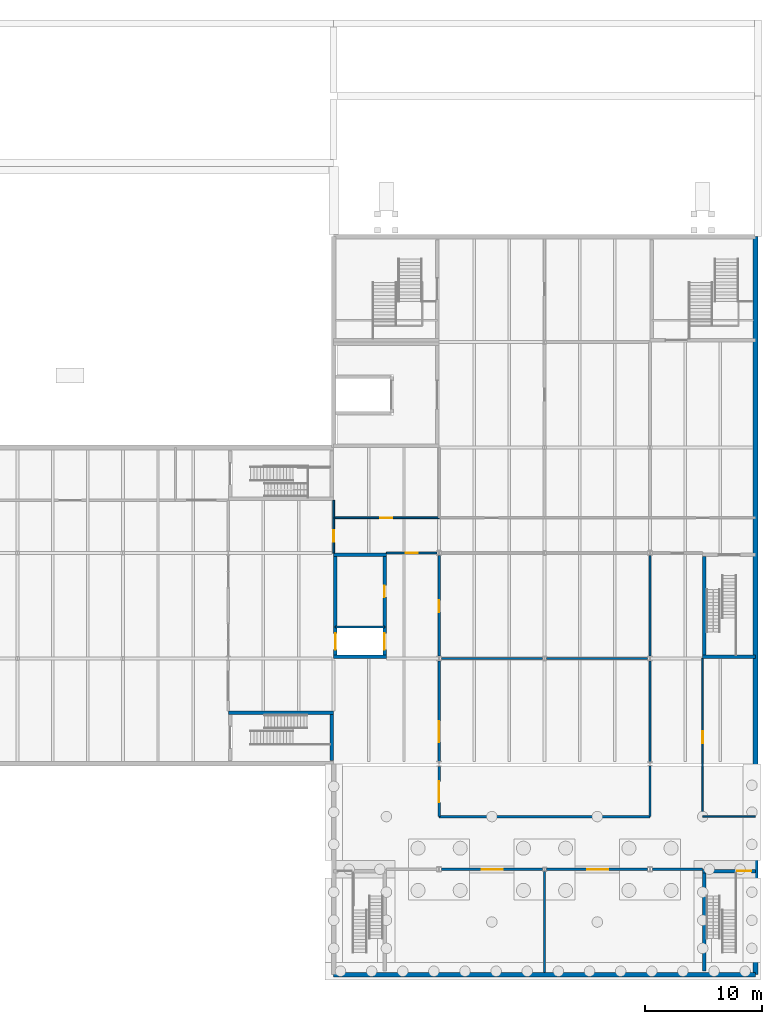
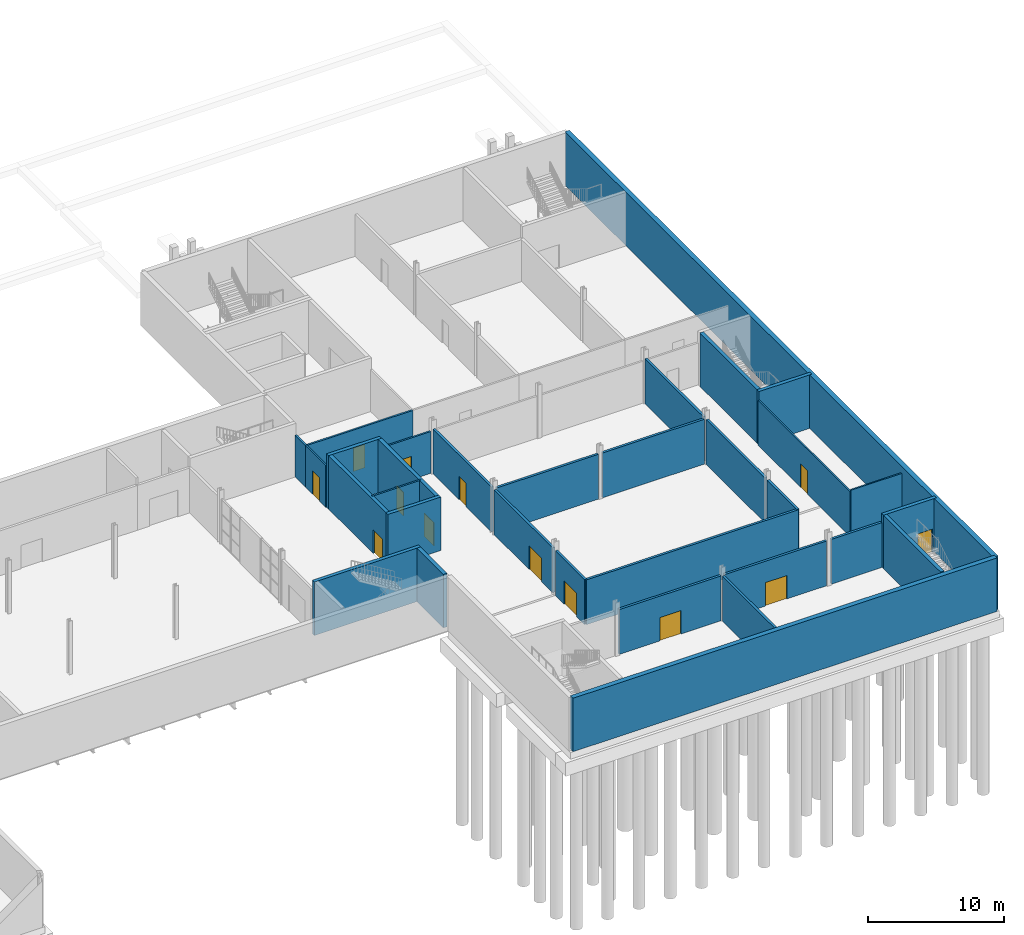
# One storey, part 18 of 31: 32 walls, 13 doors, 13 openings.
"""IFC4 building model written with IfcOpenShell, lengths in metres."""

from ifc_helpers import new_model, si_unit, direction, frame, frame_2d, origin, place, context, subcontext, project, spatial, rectangle, extrude, material, layer, layer_set, type_object, element, fill, save


model = new_model("IFC4")

# Units and contexts
model_context = context("Model", 3, precision=1e-05, world=origin(), true_north=direction((0.0, 1.0)))
body_context = subcontext(model_context, "Body", "Model", "MODEL_VIEW")
ifc_project = project(units=[si_unit("LENGTHUNIT", "METRE"), si_unit("AREAUNIT", "SQUARE_METRE"), si_unit("VOLUMEUNIT", "CUBIC_METRE"), si_unit("PLANEANGLEUNIT", "RADIAN"), si_unit("MASSUNIT", "GRAM", prefix="KILO")], contexts=[model_context])

# Site, building, storey
site_placement = place(None, origin())
site = spatial("IfcSite", under=ifc_project, at=site_placement, CompositionType="ELEMENT")
building_placement = place(site_placement, origin())
building = spatial("IfcBuilding", under=site, at=building_placement, Name="Halyard Row Museum", CompositionType="ELEMENT")
storey_placement = place(building_placement, frame((0.0, 0.0, -4.800048828125)))
storey = spatial("IfcBuildingStorey", under=building, at=storey_placement, Name="B1", CompositionType="ELEMENT", Elevation=-4.800048828125)

# Walls
ifc_material_1 = material(Name="Concrete 40 MPa", Category="concrete")
ifc_layer_1 = layer(ifc_material_1, 0.39990234375)
ifc_layer_set_1 = layer_set([ifc_layer_1], Name="Concrete 40 MPa")
wall_type_1 = type_object("IfcWallType", Name="Basement retaining wall", PredefinedType="SOLIDWALL", material=ifc_layer_set_1)
wall_1_placement = place(storey_placement, frame((108.0, 0.0, 0.0), z_axis=(0.0, 0.0, 1.0), x_axis=(0.0, 1.0, 0.0)))
element("IfcWall", 1, at=wall_1_placement, inside=storey, type_object=wall_type_1, Name="Retaining wall B1 E2", PredefinedType="SOLIDWALL", context=body_context, shape_type="SweptSolid", body=[
    extrude(rectangle(XDim=63.0, YDim=0.39990234375, at=frame_2d((31.5, 0.0))), origin(), (0.0, 0.0, 1.0), 4.800048828125),
])
wall_2_placement = place(storey_placement, frame((72.0, 0.0, 0.0), z_axis=(0.0, 0.0, 1.0), x_axis=(1.0, 0.0, 0.0)))
element("IfcWall", 2, at=wall_2_placement, inside=storey, type_object=wall_type_1, Name="Retaining wall B1 N2", PredefinedType="SOLIDWALL", context=body_context, shape_type="SweptSolid", body=[
    extrude(rectangle(XDim=36.0, YDim=0.39990234375, at=frame_2d((18.0, 0.0))), origin(), (0.0, 0.0, 1.0), 4.800048828125),
])
ifc_material_2 = material(Name="Concrete masonry 15 MPa", Category="masonry")
ifc_layer_2 = layer(ifc_material_2, 0.199951171875)
ifc_layer_set_2 = layer_set([ifc_layer_2], Name="Concrete masonry 15 MPa")
wall_type_2 = type_object("IfcWallType", Name="Blockwork wall 200 fire rated", PredefinedType="PARTITIONING", material=ifc_layer_set_2)
wall_3_placement = place(storey_placement, frame((81.0, 13.5, 0.0), z_axis=(0.0, 0.0, 1.0), x_axis=(1.0, 0.0, 0.0)))
element("IfcWall", 3, at=wall_3_placement, inside=storey, type_object=wall_type_2, Name="Partition Basement Corridor / Large Object Store", PredefinedType="PARTITIONING", context=body_context, shape_type="SweptSolid", body=[
    extrude(rectangle(XDim=18.0, YDim=0.199951171875, at=frame_2d((9.0, 0.0))), origin(), (0.0, 0.0, 1.0), 4.0234375),
])

# Wall, opening, door
wall_4_placement = place(storey_placement, frame((81.0, 13.5, 0.0), z_axis=(0.0, 0.0, 1.0), x_axis=(0.0, 1.0, 0.0)))
wall_4 = element("IfcWall", 4, at=wall_4_placement, inside=storey, type_object=wall_type_2, Name="Partition Lift Lobby B1 East / Large Object Store", PredefinedType="PARTITIONING", context=body_context, shape_type="SweptSolid", body=[
    extrude(rectangle(XDim=4.29296875, YDim=0.199951171875, at=frame_2d((2.146484375, 0.0))), origin(), (0.0, 0.0, 1.0), 4.0234375),
])
opening_1_placement = place(wall_4_placement, frame((1.2099609375, 0.0, 0.0)))
opening_1 = element("IfcOpeningElement", 5, at=opening_1_placement, cuts=wall_4, Name="Opening DB1-036", PredefinedType="OPENING", context=body_context, shape_type="SweptSolid", body=[
    extrude(rectangle(XDim=1.800048828125, YDim=2.10009765625, at=frame_2d((0.89990234375, 1.050048828125))), frame((0.0, 0.10986328125, 0.0), z_axis=(0.0, -1.0, 0.0), x_axis=(1.0, 0.0, 0.0)), (0.0, 0.0, 1.0), 0.219970703125),
])
ifc_material_3 = material(Name="Timber veneered door leaf and softwood frame", Category="wood")
door_type_1 = type_object("IfcDoorType", Name="Double door 1800 x 2100 fire rated", OperationType="NOTDEFINED", PredefinedType="DOOR", material=ifc_material_3)
door_1_placement = place(opening_1_placement, frame((1.800048828125, 0.0, 0.0), z_axis=(0.0, 0.0, 1.0), x_axis=(-1.0, 0.0, 0.0)))
door_1 = element("IfcDoor", 6, at=door_1_placement, inside=storey, type_object=door_type_1, Name="Door Large Object Store to Lift Lobby B1 East", OperationType="DOUBLE_DOOR_SINGLE_SWING", OverallHeight=2.10009765625, OverallWidth=1.800048828125, PredefinedType="DOOR", context=body_context, shape_type="SweptSolid", body=[
    extrude(rectangle(XDim=1.800048828125, YDim=2.10009765625, at=frame_2d((0.89990234375, 1.050048828125))), frame((0.0, 0.02490234375, 0.0), z_axis=(0.0, -1.0, 0.0), x_axis=(1.0, 0.0, 0.0)), (0.0, 0.0, 1.0), 0.050048828125),
])
fill(opening_1, door_1)

wall_5_placement = place(storey_placement, frame((81.0, 18.20703125, 0.0), z_axis=(0.0, 0.0, 1.0), x_axis=(0.0, 1.0, 0.0)))
wall_5 = element("IfcWall", 7, at=wall_5_placement, inside=storey, type_object=wall_type_2, Name="Partition Lift Lobby B1 East / Large Object Store", PredefinedType="PARTITIONING", context=body_context, shape_type="SweptSolid", body=[
    extrude(rectangle(XDim=8.5859375, YDim=0.199951171875, at=frame_2d((4.29296875, 0.0))), origin(), (0.0, 0.0, 1.0), 4.0234375),
])
opening_2_placement = place(wall_5_placement, frame((1.64990234375, 0.0, 0.0)))
opening_2 = element("IfcOpeningElement", 8, at=opening_2_placement, cuts=wall_5, Name="Opening DB1-035", PredefinedType="OPENING", context=body_context, shape_type="SweptSolid", body=[
    extrude(rectangle(XDim=1.800048828125, YDim=2.10009765625, at=frame_2d((0.89990234375, 1.050048828125))), frame((0.0, 0.10986328125, 0.0), z_axis=(0.0, -1.0, 0.0), x_axis=(1.0, 0.0, 0.0)), (0.0, 0.0, 1.0), 0.219970703125),
])
door_2_placement = place(opening_2_placement, frame((1.800048828125, 0.0, 0.0), z_axis=(0.0, 0.0, 1.0), x_axis=(-1.0, 0.0, 0.0)))
door_2 = element("IfcDoor", 9, at=door_2_placement, inside=storey, type_object=door_type_1, Name="Door Large Object Store to Lift Lobby B1 East", OperationType="DOUBLE_DOOR_SINGLE_SWING", OverallHeight=2.10009765625, OverallWidth=1.800048828125, PredefinedType="DOOR", context=body_context, shape_type="SweptSolid", body=[
    extrude(rectangle(XDim=1.800048828125, YDim=2.10009765625, at=frame_2d((0.89990234375, 1.050048828125))), frame((0.0, 0.02490234375, 0.0), z_axis=(0.0, -1.0, 0.0), x_axis=(1.0, 0.0, 0.0)), (0.0, 0.0, 1.0), 0.050048828125),
])
fill(opening_2, door_2)

# Walls
wall_6_placement = place(storey_placement, frame((99.0, 13.5, 0.0), z_axis=(0.0, 0.0, 1.0), x_axis=(0.0, 1.0, 0.0)))
element("IfcWall", 10, at=wall_6_placement, inside=storey, type_object=wall_type_2, Name="Partition Large Object Store / Basement Stair Link", PredefinedType="PARTITIONING", context=body_context, shape_type="SweptSolid", body=[
    extrude(rectangle(XDim=4.33056640625, YDim=0.199951171875, at=frame_2d((2.165283203125, 0.0))), origin(), (0.0, 0.0, 1.0), 4.0234375),
])
wall_7_placement = place(storey_placement, frame((99.0, 18.16943359375, 0.0), z_axis=(0.0, 0.0, 1.0), x_axis=(0.0, 1.0, 0.0)))
element("IfcWall", 11, at=wall_7_placement, inside=storey, type_object=wall_type_2, Name="Partition Large Object Store / Basement Stair Link", PredefinedType="PARTITIONING", context=body_context, shape_type="SweptSolid", body=[
    extrude(rectangle(XDim=8.62353515625, YDim=0.199951171875, at=frame_2d((4.311767578125, 0.0))), origin(), (0.0, 0.0, 1.0), 4.0234375),
])

# Wall, opening, door
ifc_material_4 = material(Name="Fire-resisting plasterboard on steel studs", Category="steel")
ifc_layer_3 = layer(ifc_material_4, 0.14990234375)
ifc_layer_set_3 = layer_set([ifc_layer_3], Name="Fire-resisting plasterboard on steel studs")
wall_type_3 = type_object("IfcWallType", Name="Compartment wall 150 fire rated", PredefinedType="PARTITIONING", material=ifc_layer_set_3)
wall_8_placement = place(storey_placement, frame((72.0, 36.0, 0.0), z_axis=(0.0, 0.0, 1.0), x_axis=(0.0, 1.0, 0.0)))
wall_8 = element("IfcWall", 12, at=wall_8_placement, inside=storey, type_object=wall_type_3, Name="Partition Lift Lobby B1 West / Collections Corridor", PredefinedType="PARTITIONING", context=body_context, shape_type="SweptSolid", body=[
    extrude(rectangle(XDim=3.0, YDim=0.14990234375, at=frame_2d((1.5, 0.0))), origin(), (0.0, 0.0, 1.0), 3.758056640625),
])
opening_3_placement = place(wall_8_placement, frame((0.949951171875, 0.0, 0.0)))
opening_3 = element("IfcOpeningElement", 13, at=opening_3_placement, cuts=wall_8, Name="Opening DB1-020", PredefinedType="OPENING", context=body_context, shape_type="SweptSolid", body=[
    extrude(rectangle(XDim=1.0, YDim=2.10009765625, at=frame_2d((0.5, 1.050048828125))), frame((0.0, 0.0849609375, 0.0), z_axis=(0.0, -1.0, 0.0), x_axis=(1.0, 0.0, 0.0)), (0.0, 0.0, 1.0), 0.169921875),
])
ifc_material_5 = material(Name="Fire-resisting timber door leaf and steel frame", Category="steel")
door_type_2 = type_object("IfcDoorType", Name="Compartment door 1000 x 2100 fire rated", OperationType="NOTDEFINED", PredefinedType="DOOR", material=ifc_material_5)
door_3_placement = place(opening_3_placement, origin())
door_3 = element("IfcDoor", 14, at=door_3_placement, inside=storey, type_object=door_type_2, Name="Door Lift Lobby B1 West to Collections Corridor", OperationType="SINGLE_SWING_LEFT", OverallHeight=2.10009765625, OverallWidth=1.0, PredefinedType="DOOR", context=body_context, shape_type="SweptSolid", body=[
    extrude(rectangle(XDim=1.0, YDim=2.10009765625, at=frame_2d((0.5, 1.050048828125))), frame((0.0, 0.02490234375, 0.0), z_axis=(0.0, -1.0, 0.0), x_axis=(1.0, 0.0, 0.0)), (0.0, 0.0, 1.0), 0.050048828125),
])
fill(opening_3, door_3)

# Wall
wall_9_placement = place(storey_placement, frame((72.0, 39.0, 0.0), z_axis=(0.0, 0.0, 1.0), x_axis=(0.0, 1.0, 0.0)))
element("IfcWall", 15, at=wall_9_placement, inside=storey, type_object=wall_type_3, Name="Partition Lift Lobby B1 West / Quarantine Store", PredefinedType="PARTITIONING", context=body_context, shape_type="SweptSolid", body=[
    extrude(rectangle(XDim=1.5, YDim=0.14990234375, at=frame_2d((0.75, 0.0))), origin(), (0.0, 0.0, 1.0), 3.758056640625),
])

# Wall, opening, door
wall_10_placement = place(storey_placement, frame((76.5, 36.0, 0.0), z_axis=(0.0, 0.0, 1.0), x_axis=(1.0, 0.0, 0.0)))
wall_10 = element("IfcWall", 16, at=wall_10_placement, inside=storey, type_object=wall_type_3, Name="Partition Lift Lobby B1 East / Collections Corridor", PredefinedType="PARTITIONING", context=body_context, shape_type="SweptSolid", body=[
    extrude(rectangle(XDim=4.300048828125, YDim=0.14990234375, at=frame_2d((2.14990234375, 0.0))), origin(), (0.0, 0.0, 1.0), 3.758056640625),
])
opening_4_placement = place(wall_10_placement, frame((1.655029296875, 0.0, 0.0)))
opening_4 = element("IfcOpeningElement", 17, at=opening_4_placement, cuts=wall_10, Name="Opening DB1-021", PredefinedType="OPENING", context=body_context, shape_type="SweptSolid", body=[
    extrude(rectangle(XDim=1.0, YDim=2.10009765625, at=frame_2d((0.5, 1.050048828125))), frame((0.0, 0.0849609375, 0.0), z_axis=(0.0, -1.0, 0.0), x_axis=(1.0, 0.0, 0.0)), (0.0, 0.0, 1.0), 0.169921875),
])
door_4_placement = place(opening_4_placement, frame((1.0, 0.0, 0.0), z_axis=(0.0, 0.0, 1.0), x_axis=(-1.0, 0.0, 0.0)))
door_4 = element("IfcDoor", 18, at=door_4_placement, inside=storey, type_object=door_type_2, Name="Door Lift Lobby B1 East to Collections Corridor", OperationType="SINGLE_SWING_LEFT", OverallHeight=2.10009765625, OverallWidth=1.0, PredefinedType="DOOR", context=body_context, shape_type="SweptSolid", body=[
    extrude(rectangle(XDim=1.0, YDim=2.10009765625, at=frame_2d((0.5, 1.050048828125))), frame((0.0, 0.02490234375, 0.0), z_axis=(0.0, -1.0, 0.0), x_axis=(1.0, 0.0, 0.0)), (0.0, 0.0, 1.0), 0.050048828125),
])
fill(opening_4, door_4)

wall_11_placement = place(storey_placement, frame((72.0, 39.0, 0.0), z_axis=(0.0, 0.0, 1.0), x_axis=(1.0, 0.0, 0.0)))
wall_11 = element("IfcWall", 19, at=wall_11_placement, inside=storey, type_object=wall_type_3, Name="Partition Collections Corridor / Quarantine Store", PredefinedType="PARTITIONING", context=body_context, shape_type="SweptSolid", body=[
    extrude(rectangle(XDim=9.0, YDim=0.14990234375, at=frame_2d((4.5, 0.0))), origin(), (0.0, 0.0, 1.0), 3.758056640625),
])
opening_5_placement = place(wall_11_placement, frame((3.985107421875, 0.0, 0.0)))
opening_5 = element("IfcOpeningElement", 20, at=opening_5_placement, cuts=wall_11, Name="Opening DB1-039", PredefinedType="OPENING", context=body_context, shape_type="SweptSolid", body=[
    extrude(rectangle(XDim=1.0, YDim=2.10009765625, at=frame_2d((0.5, 1.050048828125))), frame((0.0, 0.0849609375, 0.0), z_axis=(0.0, -1.0, 0.0), x_axis=(1.0, 0.0, 0.0)), (0.0, 0.0, 1.0), 0.169921875),
])
door_5_placement = place(opening_5_placement, origin())
door_5 = element("IfcDoor", 21, at=door_5_placement, inside=storey, type_object=door_type_2, Name="Door Quarantine Store to Collections Corridor", OperationType="SINGLE_SWING_LEFT", OverallHeight=2.10009765625, OverallWidth=1.0, PredefinedType="DOOR", context=body_context, shape_type="SweptSolid", body=[
    extrude(rectangle(XDim=1.0, YDim=2.10009765625, at=frame_2d((0.5, 1.050048828125))), frame((0.0, 0.02490234375, 0.0), z_axis=(0.0, -1.0, 0.0), x_axis=(1.0, 0.0, 0.0)), (0.0, 0.0, 1.0), 0.050048828125),
])
fill(opening_5, door_5)

# Wall
ifc_material_6 = material(Name="Concrete 40 MPa", Category="concrete")
ifc_layer_4 = layer(ifc_material_6, 0.300048828125)
ifc_layer_set_4 = layer_set([ifc_layer_4], Name="Concrete 40 MPa")
wall_type_4 = type_object("IfcWallType", Name="Core wall 300 lift shaft", PredefinedType="SOLIDWALL", material=ifc_layer_set_4)
wall_12_placement = place(storey_placement, frame((72.0, 27.14990234375, 0.0), z_axis=(0.0, 0.0, 1.0), x_axis=(1.0, 0.0, 0.0)))
element("IfcWall", 22, at=wall_12_placement, inside=storey, type_object=wall_type_4, Name="Core wall K7 S B1", PredefinedType="SOLIDWALL", context=body_context, shape_type="SweptSolid", body=[
    extrude(rectangle(XDim=4.5, YDim=0.300048828125, at=frame_2d((2.25, 0.0))), origin(), (0.0, 0.0, 1.0), 4.800048828125),
])

# Wall, openings, doors
wall_13_placement = place(storey_placement, frame((76.35009765625, 27.300048828125, 0.0), z_axis=(0.0, 0.0, 1.0), x_axis=(0.0, 1.0, 0.0)))
wall_13 = element("IfcWall", 23, at=wall_13_placement, inside=storey, type_object=wall_type_4, Name="Core wall K7 E B1", PredefinedType="SOLIDWALL", context=body_context, shape_type="SweptSolid", body=[
    extrude(rectangle(XDim=8.39990234375, YDim=0.300048828125, at=frame_2d((4.199951171875, 0.0))), origin(), (0.0, 0.0, 1.0), 4.800048828125),
])
opening_6_placement = place(wall_13_placement, frame((0.449951171875, 0.0, 0.0)))
opening_6 = element("IfcOpeningElement", 24, at=opening_6_placement, cuts=wall_13, Name="Opening LDPL1-B1", PredefinedType="OPENING", context=body_context, shape_type="SweptSolid", body=[
    extrude(rectangle(XDim=1.39990234375, YDim=2.10009765625, at=frame_2d((0.699951171875, 1.050048828125))), frame((0.0, 0.159912109375, 0.0), z_axis=(0.0, -1.0, 0.0), x_axis=(1.0, 0.0, 0.0)), (0.0, 0.0, 1.0), 0.320068359375),
])
opening_7_placement = place(wall_13_placement, frame((4.925048828125, 0.0, 0.0)))
opening_7 = element("IfcOpeningElement", 25, at=opening_7_placement, cuts=wall_13, Name="Opening DB1-015", PredefinedType="OPENING", context=body_context, shape_type="SweptSolid", body=[
    extrude(rectangle(XDim=1.0, YDim=2.10009765625, at=frame_2d((0.5, 1.050048828125))), frame((0.0, 0.159912109375, 0.0), z_axis=(0.0, -1.0, 0.0), x_axis=(1.0, 0.0, 0.0)), (0.0, 0.0, 1.0), 0.320068359375),
])
ifc_material_7 = material(Name="Stainless steel sliding car and landing doors", Category="steel")
door_type_3 = type_object("IfcDoorType", Name="Lift landing door 1400 x 2100", OperationType="SLIDING_TO_LEFT", PredefinedType="DOOR", material=ifc_material_7)
door_6_placement = place(opening_6_placement, origin())
door_6 = element("IfcDoor", 26, at=door_6_placement, inside=storey, type_object=door_type_3, Name="Landing door PL1 E B1", OperationType="SLIDING_TO_LEFT", OverallHeight=2.10009765625, OverallWidth=1.39990234375, PredefinedType="DOOR", context=body_context, shape_type="SweptSolid", body=[
    extrude(rectangle(XDim=1.39990234375, YDim=2.10009765625, at=frame_2d((0.699951171875, 1.050048828125))), frame((0.0, 0.02490234375, 0.0), z_axis=(0.0, -1.0, 0.0), x_axis=(1.0, 0.0, 0.0)), (0.0, 0.0, 1.0), 0.050048828125),
])
fill(opening_6, door_6)
ifc_material_8 = material(Name="Galvanised steel door leaf and frame", Category="steel")
door_type_4 = type_object("IfcDoorType", Name="Riser door 1000 x 2100 fire rated", OperationType="NOTDEFINED", PredefinedType="DOOR", material=ifc_material_8)
door_7_placement = place(opening_7_placement, frame((1.0, 0.0, 0.0), z_axis=(0.0, 0.0, 1.0), x_axis=(-1.0, 0.0, 0.0)))
door_7 = element("IfcDoor", 27, at=door_7_placement, inside=storey, type_object=door_type_4, Name="Riser door K7 B1", OperationType="SINGLE_SWING_RIGHT", OverallHeight=2.10009765625, OverallWidth=1.0, PredefinedType="DOOR", context=body_context, shape_type="SweptSolid", body=[
    extrude(rectangle(XDim=1.0, YDim=2.10009765625, at=frame_2d((0.5, 1.050048828125))), frame((0.0, 0.02490234375, 0.0), z_axis=(0.0, -1.0, 0.0), x_axis=(1.0, 0.0, 0.0)), (0.0, 0.0, 1.0), 0.050048828125),
])
fill(opening_7, door_7)

# Wall
wall_14_placement = place(storey_placement, frame((72.0, 35.85009765625, 0.0), z_axis=(0.0, 0.0, 1.0), x_axis=(1.0, 0.0, 0.0)))
element("IfcWall", 28, at=wall_14_placement, inside=storey, type_object=wall_type_4, Name="Core wall K7 N B1", PredefinedType="SOLIDWALL", context=body_context, shape_type="SweptSolid", body=[
    extrude(rectangle(XDim=4.5, YDim=0.300048828125, at=frame_2d((2.25, 0.0))), origin(), (0.0, 0.0, 1.0), 4.800048828125),
])

# Wall, opening, door
wall_15_placement = place(storey_placement, frame((72.14990234375, 27.300048828125, 0.0), z_axis=(0.0, 0.0, 1.0), x_axis=(0.0, 1.0, 0.0)))
wall_15 = element("IfcWall", 29, at=wall_15_placement, inside=storey, type_object=wall_type_4, Name="Core wall K7 W B1", PredefinedType="SOLIDWALL", context=body_context, shape_type="SweptSolid", body=[
    extrude(rectangle(XDim=8.39990234375, YDim=0.300048828125, at=frame_2d((4.199951171875, 0.0))), origin(), (0.0, 0.0, 1.0), 4.800048828125),
])
opening_8_placement = place(wall_15_placement, frame((0.449951171875, 0.0, 0.0)))
opening_8 = element("IfcOpeningElement", 30, at=opening_8_placement, cuts=wall_15, Name="Opening LDPL1W-B1", PredefinedType="OPENING", context=body_context, shape_type="SweptSolid", body=[
    extrude(rectangle(XDim=1.39990234375, YDim=2.10009765625, at=frame_2d((0.699951171875, 1.050048828125))), frame((0.0, 0.159912109375, 0.0), z_axis=(0.0, -1.0, 0.0), x_axis=(1.0, 0.0, 0.0)), (0.0, 0.0, 1.0), 0.320068359375),
])
door_8_placement = place(opening_8_placement, origin())
door_8 = element("IfcDoor", 31, at=door_8_placement, inside=storey, type_object=door_type_3, Name="Landing door PL1 W B1", OperationType="SLIDING_TO_RIGHT", OverallHeight=2.10009765625, OverallWidth=1.39990234375, PredefinedType="DOOR", context=body_context, shape_type="SweptSolid", body=[
    extrude(rectangle(XDim=1.39990234375, YDim=2.10009765625, at=frame_2d((0.699951171875, 1.050048828125))), frame((0.0, 0.02490234375, 0.0), z_axis=(0.0, -1.0, 0.0), x_axis=(1.0, 0.0, 0.0)), (0.0, 0.0, 1.0), 0.050048828125),
])
fill(opening_8, door_8)

# Walls
ifc_material_9 = material(Name="Concrete 40 MPa", Category="concrete")
ifc_layer_5 = layer(ifc_material_9, 0.300048828125)
ifc_layer_set_5 = layer_set([ifc_layer_5], Name="Concrete 40 MPa")
wall_type_5 = type_object("IfcWallType", Name="Exitway wall 300 reinforced concrete", PredefinedType="SOLIDWALL", material=ifc_layer_set_5)
wall_16_placement = place(storey_placement, frame((71.85009765625, 18.300048828125, 0.0), z_axis=(0.0, 0.0, 1.0), x_axis=(0.0, 1.0, 0.0)))
element("IfcWall", 32, at=wall_16_placement, inside=storey, type_object=wall_type_5, Name="Core wall K1C E B1", PredefinedType="SOLIDWALL", context=body_context, shape_type="SweptSolid", body=[
    extrude(rectangle(XDim=3.89990234375, YDim=0.300048828125, at=frame_2d((1.949951171875, 0.0))), origin(), (0.0, 0.0, 1.0), 4.800048828125),
])
wall_17_placement = place(storey_placement, frame((63.0, 22.35009765625, 0.0), z_axis=(0.0, 0.0, 1.0), x_axis=(1.0, 0.0, 0.0)))
element("IfcWall", 33, at=wall_17_placement, inside=storey, type_object=wall_type_5, Name="Core wall K1C N B1", PredefinedType="SOLIDWALL", context=body_context, shape_type="SweptSolid", body=[
    extrude(rectangle(XDim=9.0, YDim=0.300048828125, at=frame_2d((4.5, 0.0))), origin(), (0.0, 0.0, 1.0), 4.800048828125),
])

# Wall, opening, door
wall_18_placement = place(storey_placement, frame((103.5, 8.85009765625, 0.0), z_axis=(0.0, 0.0, 1.0), x_axis=(1.0, 0.0, 0.0)))
wall_18 = element("IfcWall", 34, at=wall_18_placement, inside=storey, type_object=wall_type_5, Name="Core wall K2B N B1", PredefinedType="SOLIDWALL", context=body_context, shape_type="SweptSolid", body=[
    extrude(rectangle(XDim=4.5, YDim=0.300048828125, at=frame_2d((2.25, 0.0))), origin(), (0.0, 0.0, 1.0), 4.800048828125),
])
opening_9_placement = place(wall_18_placement, frame((2.949951171875, 0.0, 0.0)))
opening_9 = element("IfcOpeningElement", 35, at=opening_9_placement, cuts=wall_18, Name="Opening DB1-006", PredefinedType="OPENING", context=body_context, shape_type="SweptSolid", body=[
    extrude(rectangle(XDim=1.199951171875, YDim=2.10009765625, at=frame_2d((0.60009765625, 1.050048828125))), frame((0.0, 0.159912109375, 0.0), z_axis=(0.0, -1.0, 0.0), x_axis=(1.0, 0.0, 0.0)), (0.0, 0.0, 1.0), 0.320068359375),
])
ifc_material_10 = material(Name="Fire-resisting timber door leaf and steel frame", Category="steel")
door_type_5 = type_object("IfcDoorType", Name="Exitway door 1200 x 2100 fire rated", OperationType="NOTDEFINED", PredefinedType="DOOR", material=ifc_material_10)
door_9_placement = place(opening_9_placement, frame((1.199951171875, 0.0, 0.0), z_axis=(0.0, 0.0, 1.0), x_axis=(-1.0, 0.0, 0.0)))
door_9 = element("IfcDoor", 36, at=door_9_placement, inside=storey, type_object=door_type_5, Name="Exitway door K2B B1", OperationType="SINGLE_SWING_RIGHT", OverallHeight=2.10009765625, OverallWidth=1.199951171875, PredefinedType="DOOR", context=body_context, shape_type="SweptSolid", body=[
    extrude(rectangle(XDim=1.199951171875, YDim=2.10009765625, at=frame_2d((0.60009765625, 1.050048828125))), frame((0.0, 0.02490234375, 0.0), z_axis=(0.0, -1.0, 0.0), x_axis=(1.0, 0.0, 0.0)), (0.0, 0.0, 1.0), 0.050048828125),
])
fill(opening_9, door_9)

# Walls
wall_19_placement = place(storey_placement, frame((103.64990234375, 0.300048828125, 0.0), z_axis=(0.0, 0.0, 1.0), x_axis=(0.0, 1.0, 0.0)))
element("IfcWall", 37, at=wall_19_placement, inside=storey, type_object=wall_type_5, Name="Core wall K2B W B1", PredefinedType="SOLIDWALL", context=body_context, shape_type="SweptSolid", body=[
    extrude(rectangle(XDim=8.39990234375, YDim=0.300048828125, at=frame_2d((4.199951171875, 0.0))), origin(), (0.0, 0.0, 1.0), 4.800048828125),
])
wall_20_placement = place(storey_placement, frame((103.5, 27.14990234375, 0.0), z_axis=(0.0, 0.0, 1.0), x_axis=(1.0, 0.0, 0.0)))
element("IfcWall", 38, at=wall_20_placement, inside=storey, type_object=wall_type_5, Name="Core wall K2C S B1", PredefinedType="SOLIDWALL", context=body_context, shape_type="SweptSolid", body=[
    extrude(rectangle(XDim=4.5, YDim=0.300048828125, at=frame_2d((2.25, 0.0))), origin(), (0.0, 0.0, 1.0), 4.800048828125),
])
wall_21_placement = place(storey_placement, frame((103.64990234375, 27.300048828125, 0.0), z_axis=(0.0, 0.0, 1.0), x_axis=(0.0, 1.0, 0.0)))
element("IfcWall", 39, at=wall_21_placement, inside=storey, type_object=wall_type_5, Name="Core wall K2C W B1", PredefinedType="SOLIDWALL", context=body_context, shape_type="SweptSolid", body=[
    extrude(rectangle(XDim=8.39990234375, YDim=0.300048828125, at=frame_2d((4.199951171875, 0.0))), origin(), (0.0, 0.0, 1.0), 4.800048828125),
])
ifc_material_11 = material(Name="Concrete 40 MPa", Category="concrete")
ifc_layer_6 = layer(ifc_material_11, 0.14990234375)
ifc_layer_set_6 = layer_set([ifc_layer_6], Name="Concrete 40 MPa")
wall_type_6 = type_object("IfcWallType", Name="Lift shaft divider 150", PredefinedType="SOLIDWALL", material=ifc_layer_set_6)
wall_22_placement = place(storey_placement, frame((72.14990234375, 29.675048828125, 0.0), z_axis=(0.0, 0.0, 1.0), x_axis=(1.0, 0.0, 0.0)))
element("IfcWall", 40, at=wall_22_placement, inside=storey, type_object=wall_type_6, Name="Shaft divider PL1 B1", PredefinedType="SOLIDWALL", context=body_context, shape_type="SweptSolid", body=[
    extrude(rectangle(XDim=4.2001953125, YDim=0.14990234375, at=frame_2d((2.10009765625, 0.0))), origin(), (0.0, 0.0, 1.0), 4.800048828125),
])

# Wall, opening, door
ifc_material_12 = material(Name="Concrete masonry 15 MPa", Category="masonry")
ifc_layer_7 = layer(ifc_material_12, 0.199951171875)
ifc_layer_set_7 = layer_set([ifc_layer_7], Name="Concrete masonry 15 MPa")
wall_type_7 = type_object("IfcWallType", Name="Plant room wall 200 fire rated", PredefinedType="PARTITIONING", material=ifc_layer_set_7)
wall_23_placement = place(storey_placement, frame((81.199951171875, 9.0, 0.0), z_axis=(0.0, 0.0, 1.0), x_axis=(1.0, 0.0, 0.0)))
wall_23 = element("IfcWall", 41, at=wall_23_placement, inside=storey, type_object=wall_type_7, Name="Partition Basement Corridor / Mechanical Plant Room", PredefinedType="PARTITIONING", context=body_context, shape_type="SweptSolid", body=[
    extrude(rectangle(XDim=8.625, YDim=0.199951171875, at=frame_2d((4.3125, 0.0))), origin(), (0.0, 0.0, 1.0), 4.0234375),
])
opening_10_placement = place(wall_23_placement, frame((3.449951171875, 0.0, 0.0)))
opening_10 = element("IfcOpeningElement", 42, at=opening_10_placement, cuts=wall_23, Name="Opening DB1-033", PredefinedType="OPENING", context=body_context, shape_type="SweptSolid", body=[
    extrude(rectangle(XDim=1.800048828125, YDim=2.10009765625, at=frame_2d((0.89990234375, 1.050048828125))), frame((0.0, 0.10986328125, 0.0), z_axis=(0.0, -1.0, 0.0), x_axis=(1.0, 0.0, 0.0)), (0.0, 0.0, 1.0), 0.219970703125),
])
ifc_material_13 = material(Name="Galvanised steel door leaf and frame", Category="steel")
door_type_6 = type_object("IfcDoorType", Name="Plant room door 1800 x 2100 fire rated", OperationType="NOTDEFINED", PredefinedType="DOOR", material=ifc_material_13)
door_10_placement = place(opening_10_placement, frame((1.800048828125, 0.0, 0.0), z_axis=(0.0, 0.0, 1.0), x_axis=(-1.0, 0.0, 0.0)))
door_10 = element("IfcDoor", 43, at=door_10_placement, inside=storey, type_object=door_type_6, Name="Door Mechanical Plant Room to Basement Corridor", OperationType="DOUBLE_DOOR_SINGLE_SWING", OverallHeight=2.10009765625, OverallWidth=1.800048828125, PredefinedType="DOOR", context=body_context, shape_type="SweptSolid", body=[
    extrude(rectangle(XDim=1.800048828125, YDim=2.10009765625, at=frame_2d((0.89990234375, 1.050048828125))), frame((0.0, 0.02490234375, 0.0), z_axis=(0.0, -1.0, 0.0), x_axis=(1.0, 0.0, 0.0)), (0.0, 0.0, 1.0), 0.050048828125),
])
fill(opening_10, door_10)

wall_24_placement = place(storey_placement, frame((90.175048828125, 9.0, 0.0), z_axis=(0.0, 0.0, 1.0), x_axis=(1.0, 0.0, 0.0)))
wall_24 = element("IfcWall", 44, at=wall_24_placement, inside=storey, type_object=wall_type_7, Name="Partition Basement Corridor / Electrical Switch Room", PredefinedType="PARTITIONING", context=body_context, shape_type="SweptSolid", body=[
    extrude(rectangle(XDim=8.625, YDim=0.199951171875, at=frame_2d((4.3125, 0.0))), origin(), (0.0, 0.0, 1.0), 4.0234375),
])
opening_11_placement = place(wall_24_placement, frame((3.449951171875, 0.0, 0.0)))
opening_11 = element("IfcOpeningElement", 45, at=opening_11_placement, cuts=wall_24, Name="Opening DB1-034", PredefinedType="OPENING", context=body_context, shape_type="SweptSolid", body=[
    extrude(rectangle(XDim=1.800048828125, YDim=2.10009765625, at=frame_2d((0.89990234375, 1.050048828125))), frame((0.0, 0.10986328125, 0.0), z_axis=(0.0, -1.0, 0.0), x_axis=(1.0, 0.0, 0.0)), (0.0, 0.0, 1.0), 0.219970703125),
])
door_11_placement = place(opening_11_placement, frame((1.800048828125, 0.0, 0.0), z_axis=(0.0, 0.0, 1.0), x_axis=(-1.0, 0.0, 0.0)))
door_11 = element("IfcDoor", 46, at=door_11_placement, inside=storey, type_object=door_type_6, Name="Door Electrical Switch Room to Basement Corridor", OperationType="DOUBLE_DOOR_SINGLE_SWING", OverallHeight=2.10009765625, OverallWidth=1.800048828125, PredefinedType="DOOR", context=body_context, shape_type="SweptSolid", body=[
    extrude(rectangle(XDim=1.800048828125, YDim=2.10009765625, at=frame_2d((0.89990234375, 1.050048828125))), frame((0.0, 0.02490234375, 0.0), z_axis=(0.0, -1.0, 0.0), x_axis=(1.0, 0.0, 0.0)), (0.0, 0.0, 1.0), 0.050048828125),
])
fill(opening_11, door_11)

# Walls
wall_25_placement = place(storey_placement, frame((99.199951171875, 9.0, 0.0), z_axis=(0.0, 0.0, 1.0), x_axis=(1.0, 0.0, 0.0)))
element("IfcWall", 47, at=wall_25_placement, inside=storey, type_object=wall_type_7, Name="Partition Basement Corridor / Electrical Switch Room", PredefinedType="PARTITIONING", context=body_context, shape_type="SweptSolid", body=[
    extrude(rectangle(XDim=4.300048828125, YDim=0.199951171875, at=frame_2d((2.14990234375, 0.0))), origin(), (0.0, 0.0, 1.0), 4.0234375),
])
wall_26_placement = place(storey_placement, frame((90.0, 0.199951171875, 0.0), z_axis=(0.0, 0.0, 1.0), x_axis=(0.0, 1.0, 0.0)))
element("IfcWall", 48, at=wall_26_placement, inside=storey, type_object=wall_type_7, Name="Partition Mechanical Plant Room / Electrical Switch Room", PredefinedType="PARTITIONING", context=body_context, shape_type="SweptSolid", body=[
    extrude(rectangle(XDim=8.630615234375, YDim=0.199951171875, at=frame_2d((4.3154296875, 0.0))), origin(), (0.0, 0.0, 1.0), 4.0234375),
])

# Wall, opening, door
wall_27_placement = place(storey_placement, frame((81.0, 27.20703125, 0.0), z_axis=(0.0, 0.0, 1.0), x_axis=(0.0, 1.0, 0.0)))
wall_27 = element("IfcWall", 49, at=wall_27_placement, inside=storey, type_object=wall_type_7, Name="Partition Lift Lobby B1 East / Fire Tank Room", PredefinedType="PARTITIONING", context=body_context, shape_type="SweptSolid", body=[
    extrude(rectangle(XDim=8.5859375, YDim=0.199951171875, at=frame_2d((4.29296875, 0.0))), origin(), (0.0, 0.0, 1.0), 4.0234375),
])
opening_12_placement = place(wall_27_placement, frame((3.75, 0.0, 0.0)))
opening_12 = element("IfcOpeningElement", 50, at=opening_12_placement, cuts=wall_27, Name="Opening DB1-037", PredefinedType="OPENING", context=body_context, shape_type="SweptSolid", body=[
    extrude(rectangle(XDim=1.0, YDim=2.10009765625, at=frame_2d((0.5, 1.050048828125))), frame((0.0, 0.10986328125, 0.0), z_axis=(0.0, -1.0, 0.0), x_axis=(1.0, 0.0, 0.0)), (0.0, 0.0, 1.0), 0.219970703125),
])
ifc_material_14 = material(Name="Galvanised steel door leaf and frame", Category="steel")
door_type_7 = type_object("IfcDoorType", Name="Plant room door 1000 x 2100 fire rated", OperationType="NOTDEFINED", PredefinedType="DOOR", material=ifc_material_14)
door_12_placement = place(opening_12_placement, frame((1.0, 0.0, 0.0), z_axis=(0.0, 0.0, 1.0), x_axis=(-1.0, 0.0, 0.0)))
door_12 = element("IfcDoor", 51, at=door_12_placement, inside=storey, type_object=door_type_7, Name="Door Fire Tank Room to Lift Lobby B1 East", OperationType="SINGLE_SWING_RIGHT", OverallHeight=2.10009765625, OverallWidth=1.0, PredefinedType="DOOR", context=body_context, shape_type="SweptSolid", body=[
    extrude(rectangle(XDim=1.0, YDim=2.10009765625, at=frame_2d((0.5, 1.050048828125))), frame((0.0, 0.02490234375, 0.0), z_axis=(0.0, -1.0, 0.0), x_axis=(1.0, 0.0, 0.0)), (0.0, 0.0, 1.0), 0.050048828125),
])
fill(opening_12, door_12)

# Walls
for number, where, z_axis, x_axis, name in (
    (52, (81.199951171875, 27.0, 0.0), (0.0, 0.0, 1.0), (1.0, 0.0, 0.0), "Partition Large Object Store / Fire Tank Room"),
    (53, (90.175048828125, 27.0, 0.0), (0.0, 0.0, 1.0), (1.0, 0.0, 0.0), "Partition Large Object Store / Fire Tank Room"),
):
    element("IfcWall", number, at=place(storey_placement, frame(where, z_axis=z_axis, x_axis=x_axis)), inside=storey, type_object=wall_type_7, Name=name, PredefinedType="PARTITIONING", context=body_context, shape_type="SweptSolid", body=[
        extrude(rectangle(XDim=8.625, YDim=0.199951171875, at=frame_2d((4.3125, 0.0))), origin(), (0.0, 0.0, 1.0), 4.0234375),
    ])
wall_28_placement = place(storey_placement, frame((99.0, 27.20703125, 0.0), z_axis=(0.0, 0.0, 1.0), x_axis=(0.0, 1.0, 0.0)))
element("IfcWall", 54, at=wall_28_placement, inside=storey, type_object=wall_type_7, Name="Partition Fire Tank Room / Basement Stair Link", PredefinedType="PARTITIONING", context=body_context, shape_type="SweptSolid", body=[
    extrude(rectangle(XDim=8.5859375, YDim=0.199951171875, at=frame_2d((4.29296875, 0.0))), origin(), (0.0, 0.0, 1.0), 4.0234375),
])
ifc_material_15 = material(Name="Plasterboard on steel studs with mineral wool", Category="steel")
ifc_layer_8 = layer(ifc_material_15, 0.125)
ifc_layer_set_8 = layer_set([ifc_layer_8], Name="Plasterboard on steel studs with mineral wool")
wall_type_8 = type_object("IfcWallType", Name="Stud partition 125", PredefinedType="PARTITIONING", material=ifc_layer_set_8)
wall_29_placement = place(storey_placement, frame((103.5, 13.5, 0.0), z_axis=(0.0, 0.0, 1.0), x_axis=(1.0, 0.0, 0.0)))
element("IfcWall", 55, at=wall_29_placement, inside=storey, type_object=wall_type_8, Name="Partition Basement Corridor / Security Control Room", PredefinedType="PARTITIONING", context=body_context, shape_type="SweptSolid", body=[
    extrude(rectangle(XDim=4.5, YDim=0.125, at=frame_2d((2.25, 0.0))), origin(), (0.0, 0.0, 1.0), 4.18115234375),
])

# Wall, opening, door
ifc_material_16 = material(Name="Plasterboard on steel studs with mineral wool", Category="steel")
ifc_layer_9 = layer(ifc_material_16, 0.125)
ifc_layer_set_9 = layer_set([ifc_layer_9], Name="Plasterboard on steel studs with mineral wool")
wall_type_9 = type_object("IfcWallType", Name="Stud partition 125 fire rated", PredefinedType="PARTITIONING", material=ifc_layer_set_9)
wall_30_placement = place(storey_placement, frame((103.5, 13.5, 0.0), z_axis=(0.0, 0.0, 1.0), x_axis=(0.0, 1.0, 0.0)))
wall_30 = element("IfcWall", 56, at=wall_30_placement, inside=storey, type_object=wall_type_9, Name="Partition Basement Stair Link / Security Control Room", PredefinedType="PARTITIONING", context=body_context, shape_type="SweptSolid", body=[
    extrude(rectangle(XDim=13.5, YDim=0.125, at=frame_2d((6.75, 0.0))), origin(), (0.0, 0.0, 1.0), 4.0234375),
])
opening_13_placement = place(wall_30_placement, frame((6.2724609375, 0.0, 0.0)))
opening_13 = element("IfcOpeningElement", 57, at=opening_13_placement, cuts=wall_30, Name="Opening DB1-038", PredefinedType="OPENING", context=body_context, shape_type="SweptSolid", body=[
    extrude(rectangle(XDim=1.0, YDim=2.10009765625, at=frame_2d((0.5, 1.050048828125))), frame((0.0, 0.072509765625, 0.0), z_axis=(0.0, -1.0, 0.0), x_axis=(1.0, 0.0, 0.0)), (0.0, 0.0, 1.0), 0.14501953125),
])
ifc_material_17 = material(Name="Timber veneered door leaf and softwood frame", Category="wood")
door_type_8 = type_object("IfcDoorType", Name="Single door 1000 x 2100 fire rated", OperationType="NOTDEFINED", PredefinedType="DOOR", material=ifc_material_17)
door_13_placement = place(opening_13_placement, frame((1.0, 0.0, 0.0), z_axis=(0.0, 0.0, 1.0), x_axis=(-1.0, 0.0, 0.0)))
door_13 = element("IfcDoor", 58, at=door_13_placement, inside=storey, type_object=door_type_8, Name="Door Security Control Room to Basement Stair Link", OperationType="SINGLE_SWING_LEFT", OverallHeight=2.10009765625, OverallWidth=1.0, PredefinedType="DOOR", context=body_context, shape_type="SweptSolid", body=[
    extrude(rectangle(XDim=1.0, YDim=2.10009765625, at=frame_2d((0.5, 1.050048828125))), frame((0.0, 0.02490234375, 0.0), z_axis=(0.0, -1.0, 0.0), x_axis=(1.0, 0.0, 0.0)), (0.0, 0.0, 1.0), 0.050048828125),
])
fill(opening_13, door_13)

save(model, "model.ifc")
